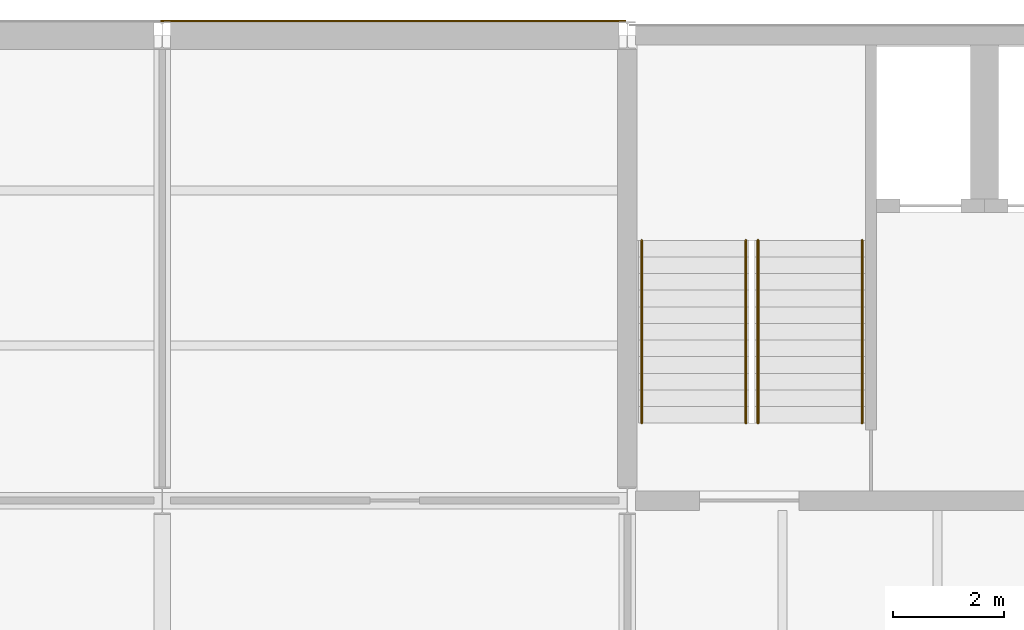
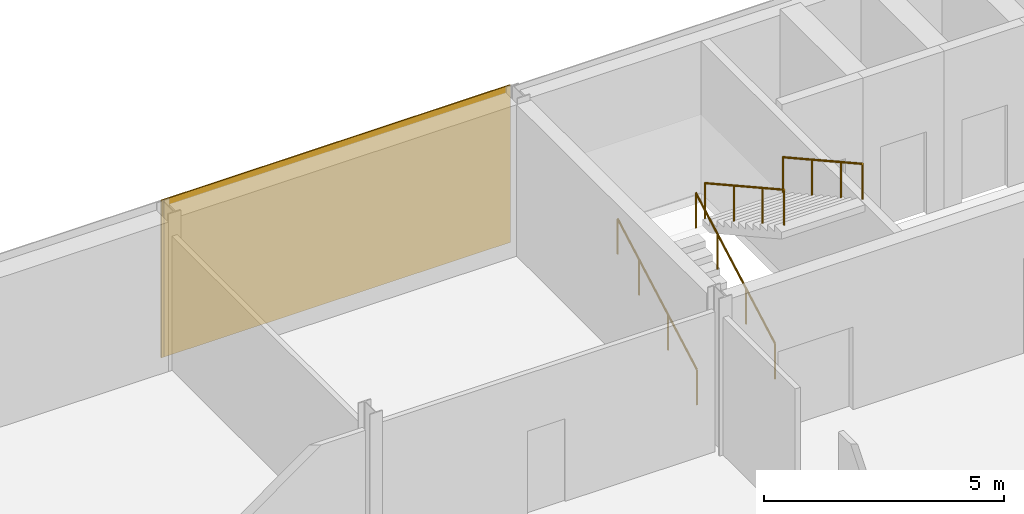
# One storey, part 11 of 12: 4 railings, 2 coverings.
"""IFC4 building model written with IfcOpenShell, lengths in metres."""

from ifc_helpers import new_model, si_unit, direction, frame, origin, origin_2d, place, context, subcontext, project, spatial, rectangle, circle, extrude, material, layer, layer_set, type_object, element, save


model = new_model("IFC4")

# Units and contexts
model_context = context("Model", 3, precision=1e-05, world=origin(), true_north=direction((0.0, 1.0)))
body_context = subcontext(model_context, "Body", "Model", "MODEL_VIEW")
ifc_project = project(units=[si_unit("LENGTHUNIT", "METRE"), si_unit("AREAUNIT", "SQUARE_METRE"), si_unit("VOLUMEUNIT", "CUBIC_METRE"), si_unit("PLANEANGLEUNIT", "RADIAN"), si_unit("MASSUNIT", "GRAM", prefix="KILO")], contexts=[model_context])

# Site, building, storey
site_placement = place(None, origin())
site = spatial("IfcSite", under=ifc_project, at=site_placement, CompositionType="ELEMENT")
building_placement = place(site_placement, origin())
building = spatial("IfcBuilding", under=site, at=building_placement, Name="Galleria Vessillo Department Store", CompositionType="ELEMENT")
storey_placement = place(building_placement, frame((0.0, 0.0, 43.60009765625)))
storey = spatial("IfcBuildingStorey", under=building, at=storey_placement, Name="L09", CompositionType="ELEMENT", Elevation=43.60009765625)

# Coverings
ifc_material_1 = material(Name="Lime plaster (intonaco) ochre")
ifc_layer = layer(ifc_material_1, 0.030029296875)
ifc_layer_set = layer_set([ifc_layer], Name="Lime plaster (intonaco) ochre")
covering_type = type_object("IfcCoveringType", Name="Lime plaster render 30 mm", PredefinedType="CLADDING", material=ifc_layer_set)
covering_1_placement = place(storey_placement, frame((96.60009765625, 63.264892578125, 0.0), z_axis=(0.0, 0.0, 1.0), x_axis=(1.0, 0.0, 0.0)))
element("IfcCovering", 1, at=covering_1_placement, inside=storey, type_object=covering_type, Name="Wall cladding S-TN-L09-02", PredefinedType="CLADDING", context=body_context, shape_type="SweptSolid", body=[
    extrude(rectangle(XDim=8.34033203125, YDim=0.030029296875, at=origin_2d()), origin(), (0.0, 0.0, 1.0), 4.0),
])
covering_2_placement = place(storey_placement, frame((92.39990234375, 63.264892578125, 0.0), z_axis=(0.0, 0.0, 1.0), x_axis=(1.0, 0.0, 0.0)))
element("IfcCovering", 2, at=covering_2_placement, inside=storey, type_object=covering_type, Name="Joint block Wall cladding S-TN-L09-01", PredefinedType="CLADDING", context=body_context, shape_type="SweptSolid", body=[
    extrude(rectangle(XDim=0.059814453125, YDim=0.030029296875, at=origin_2d()), origin(), (0.0, 0.0, 1.0), 4.0),
])

# Railings
ifc_material_2 = material(Name="Stainless steel tube", Category="steel")
railing_type = type_object("IfcRailingType", Name="Stair handrail steel tube 48 mm", PredefinedType="HANDRAIL", material=ifc_material_2)
for number, where, name in (
    (3, (101.06005859375, 56.0, 0.166748046875), "Handrail ST8 L09 flight 1A"),
    (4, (102.93994140625, 56.0, 0.166748046875), "Handrail ST8 L09 flight 1B"),
):
    element("IfcRailing", number, at=place(storey_placement, frame(where)), inside=storey, type_object=railing_type, Name=name, PredefinedType="HANDRAIL", context=body_context, shape_type="SweptSolid", body=[
        extrude(circle(Radius=0.02392578125, at=origin_2d()), frame((0.0, 0.0, 0.89599609375), z_axis=(0.0, 0.874199221805, 0.485567421267), x_axis=(-1.0, 0.0, 0.0)), (0.0, 0.0, 1.0), 1.37255859375),
        extrude(circle(Radius=0.02392578125, at=origin_2d()), frame((0.0, 1.199951171875, 1.5625), z_axis=(0.0, 0.874123717778, 0.485703331282), x_axis=(-1.0, 0.0, 0.0)), (0.0, 0.0, 1.0), 1.372802734375),
        extrude(circle(Radius=0.02392578125, at=origin_2d()), frame((0.0, 2.39990234375, 2.22900390625), z_axis=(0.0, 0.874190826042, 0.485582536407), x_axis=(-1.0, 0.0, 0.0)), (0.0, 0.0, 1.0), 1.02978515625),
        extrude(circle(Radius=0.02099609375, at=origin_2d()), origin(), (0.0, 0.0, 1.0), 0.871826171875),
        extrude(circle(Radius=0.02099609375, at=origin_2d()), frame((0.0, 1.199951171875, 0.66650390625)), (0.0, 0.0, 1.0), 0.871826171875),
        extrude(circle(Radius=0.02099609375, at=origin_2d()), frame((0.0, 2.39990234375, 1.333251953125)), (0.0, 0.0, 1.0), 0.871826171875),
        extrude(circle(Radius=0.02099609375, at=origin_2d()), frame((0.0, 3.300048828125, 1.833251953125)), (0.0, 0.0, 1.0), 0.871826171875),
    ])
for number, where, name in (
    (5, (105.0400390625, 59.300048828125, 2.166748046875), "Handrail ST8 L09 flight 2A"),
    (6, (103.16015625, 59.300048828125, 2.166748046875), "Handrail ST8 L09 flight 2B"),
):
    element("IfcRailing", number, at=place(storey_placement, frame(where)), inside=storey, type_object=railing_type, Name=name, PredefinedType="HANDRAIL", context=body_context, shape_type="SweptSolid", body=[
        extrude(circle(Radius=0.02392578125, at=origin_2d()), frame((0.0, 0.0, 0.89599609375), z_axis=(0.0, -0.874199221805, 0.485567421267), x_axis=(1.0, 0.0, 0.0)), (0.0, 0.0, 1.0), 1.37255859375),
        extrude(circle(Radius=0.02392578125, at=origin_2d()), frame((0.0, -1.199951171875, 1.5625), z_axis=(0.0, -0.874123717778, 0.485703331282), x_axis=(1.0, 0.0, 0.0)), (0.0, 0.0, 1.0), 1.372802734375),
        extrude(circle(Radius=0.02392578125, at=origin_2d()), frame((0.0, -2.39990234375, 2.22900390625), z_axis=(0.0, -0.874190826042, 0.485582536407), x_axis=(1.0, 0.0, 0.0)), (0.0, 0.0, 1.0), 1.02978515625),
        extrude(circle(Radius=0.02099609375, at=origin_2d()), origin(), (0.0, 0.0, 1.0), 0.871826171875),
        extrude(circle(Radius=0.02099609375, at=origin_2d()), frame((0.0, -1.199951171875, 0.66650390625)), (0.0, 0.0, 1.0), 0.871826171875),
        extrude(circle(Radius=0.02099609375, at=origin_2d()), frame((0.0, -2.39990234375, 1.333251953125)), (0.0, 0.0, 1.0), 0.871826171875),
        extrude(circle(Radius=0.02099609375, at=origin_2d()), frame((0.0, -3.300048828125, 1.833251953125)), (0.0, 0.0, 1.0), 0.871826171875),
    ])

save(model, "model.ifc")
